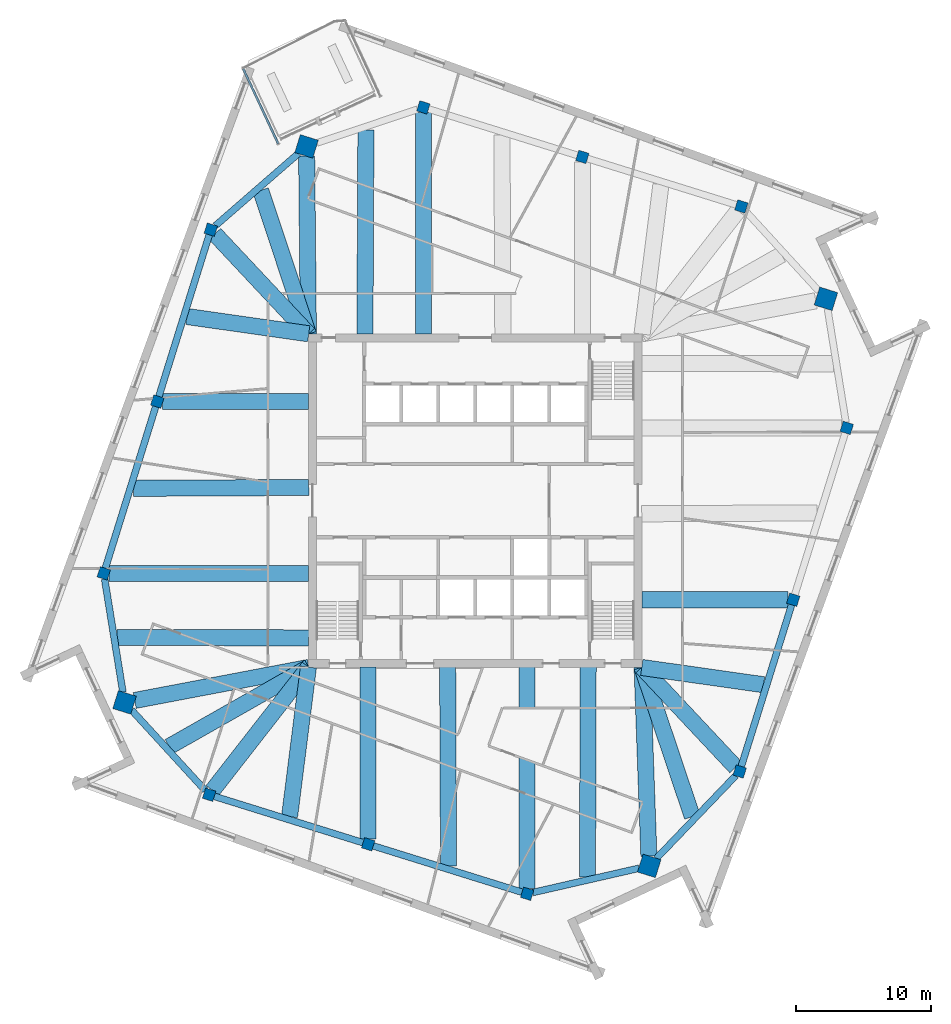
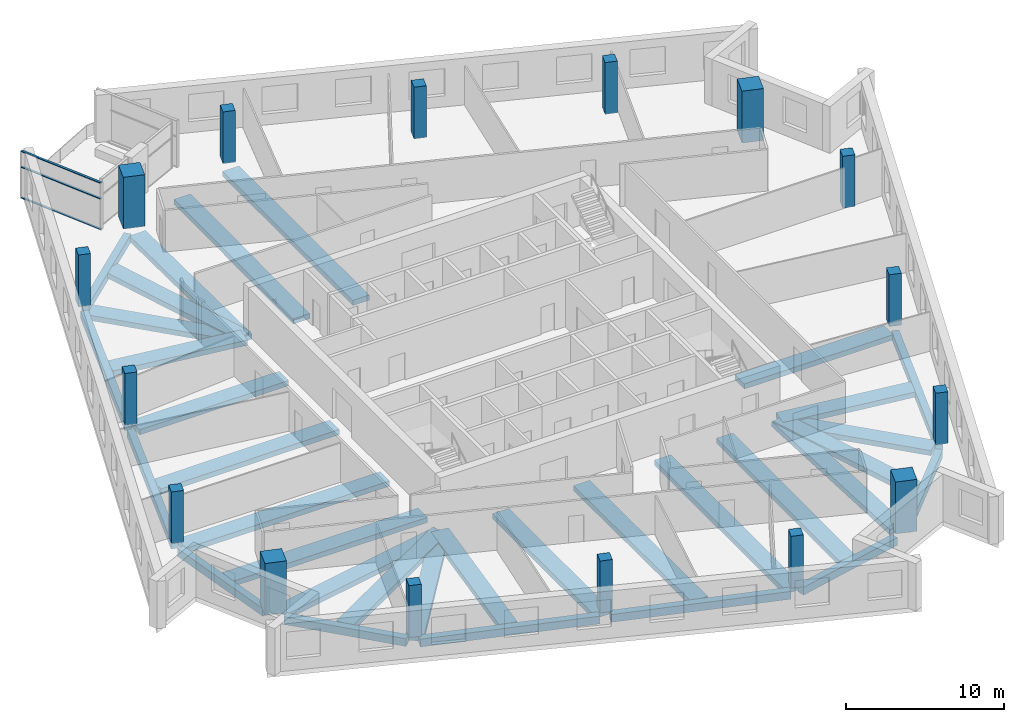
# One storey, part 1 of 13: 33 beams, 16 columns, 3 members, 1 element without a shape of its own.
"""IFC4 building model written with IfcOpenShell, lengths in metres."""

import ifcopenshell
import ifcopenshell.guid

model = None  # the IFC model being written
_history = None  # IfcOwnerHistory: only IFC2X3 demands one
_inside = {}  # id of a spatial element -> (the spatial element, [elements in it])
_under = {}  # id of a project, library or spatial element -> (it, [spatial elements below it])
_declared = {}  # id of a project -> (the project, [libraries it declares])
_typed = {}  # id of a type object -> (the type object, [elements of that type])
_made_of = {}  # id of a material, layer set ... -> (it, [elements and type objects made of it])


def new_model(schema):
    """Start an empty IFC model of exactly this schema.

    Asked for "IFC4X3", IfcOpenShell would pick the latest addendum, in which some entities
    have other attributes; the version numbers below select the first issue.
    IFC2X3 requires an IfcOwnerHistory on every rooted entity: one is made here for all.
    """
    global model, _history
    if schema == "IFC4X3":
        model = ifcopenshell.file(schema_version=(4, 3, 0, 0))
    else:
        model = ifcopenshell.file(schema=schema)
    _inside.clear()
    _under.clear()
    _declared.clear()
    _typed.clear()
    _made_of.clear()
    _history = None
    if model.schema == "IFC2X3":
        org = make("IfcOrganization", Name="unknown")
        user = make(
            "IfcPersonAndOrganization",
            ThePerson=make("IfcPerson", FamilyName="unknown"),
            TheOrganization=org,
        )
        app = make(
            "IfcApplication",
            ApplicationDeveloper=org,
            Version="unknown",
            ApplicationFullName="unknown",
            ApplicationIdentifier="unknown",
        )
        _history = make(
            "IfcOwnerHistory",
            OwningUser=user,
            OwningApplication=app,
            ChangeAction="ADDED",
            CreationDate=0,
        )
    return model


def make(cls, **values):
    """One entity of the class cls with the attributes given. An attribute that is None is left unset."""
    return model.create_entity(
        cls, **{name: value for name, value in values.items() if value is not None}
    )


def rooted(cls, **values):
    """An entity with a GlobalId (a new one), such as an element, a storey or a relation."""
    return make(cls, GlobalId=ifcopenshell.guid.new(), OwnerHistory=_history, **values)


def si_unit(unit_type, name, prefix=None):
    """IfcSIUnit, for example si_unit("LENGTHUNIT", "METRE", prefix="MILLI")."""
    return make("IfcSIUnit", UnitType=unit_type, Prefix=prefix, Name=name)


def assignment(units):
    """IfcUnitAssignment: the units of a project."""
    return None if units is None else make("IfcUnitAssignment", Units=units)


def point(xyz):
    """IfcCartesianPoint."""
    return None if xyz is None else make("IfcCartesianPoint", Coordinates=xyz)


def direction(xyz):
    """IfcDirection."""
    return None if xyz is None else make("IfcDirection", DirectionRatios=xyz)


def frame(location, z_axis=None, x_axis=None):
    """IfcAxis2Placement3D, a coordinate frame: its origin and axes. An axis left out is left unset."""
    return make(
        "IfcAxis2Placement3D",
        Location=point(location),
        Axis=direction(z_axis),
        RefDirection=direction(x_axis),
    )


def frame_2d(location, x_axis=None):
    """IfcAxis2Placement2D, a coordinate frame in the plane: its origin and x axis."""
    return make(
        "IfcAxis2Placement2D", Location=point(location), RefDirection=direction(x_axis)
    )


def origin():
    """The frame at (0, 0, 0) with its axes left unset."""
    return frame((0.0, 0.0, 0.0))


def origin_2d():
    """The frame at (0, 0) in the plane with its x axis left unset."""
    return frame_2d((0.0, 0.0))


def place(relative_to, where):
    """IfcLocalPlacement: puts the frame where relative to a parent placement (None: the world)."""
    return make(
        "IfcLocalPlacement", PlacementRelTo=relative_to, RelativePlacement=where
    )


def context(
    kind, dimensions, precision=None, world=None, true_north=None, identifier=None
):
    """IfcGeometricRepresentationContext, for example the 3D "Model" context."""
    return make(
        "IfcGeometricRepresentationContext",
        ContextIdentifier=identifier,
        ContextType=kind,
        CoordinateSpaceDimension=dimensions,
        Precision=precision,
        WorldCoordinateSystem=world,
        TrueNorth=true_north,
    )


def subcontext(parent, identifier, kind, view, scale=None):
    """IfcGeometricRepresentationSubContext, for example "Body" below "Model"."""
    return make(
        "IfcGeometricRepresentationSubContext",
        ContextIdentifier=identifier,
        ContextType=kind,
        ParentContext=parent,
        TargetScale=scale,
        TargetView=view,
    )


def project(units=None, contexts=None):
    """IfcProject with its units and contexts."""
    return rooted(
        "IfcProject",
        Name="project",
        RepresentationContexts=contexts,
        UnitsInContext=assignment(units),
    )


def spatial(cls, under=None, at=None, **own):
    """A site, building, storey or space (cls), placed at a placement, below another one or the project."""
    s = rooted(cls, ObjectPlacement=at, **own)
    if under is not None:
        _under.setdefault(under.id(), (under, []))[1].append(s)
    return s


def profile(cls, at=None, kind="AREA", **sizes):
    """A parametric profile (cls). Its sizes go by their IFC names, for example OverallWidth=200.0."""
    return make(cls, ProfileType=kind, Position=at, **sizes)


def rectangle(**sizes):
    """IfcRectangleProfileDef."""
    return profile("IfcRectangleProfileDef", **sizes)


def extrude(swept, where, along, depth):
    """IfcExtrudedAreaSolid: the profile swept, set in the frame where, extruded along a direction by depth."""
    return make(
        "IfcExtrudedAreaSolid",
        SweptArea=swept,
        Position=where,
        ExtrudedDirection=direction(along),
        Depth=depth,
    )


def shape(context_of_items, identifier, shape_type, items):
    """IfcShapeRepresentation: the items that make up one representation, for example the "Body"."""
    return make(
        "IfcShapeRepresentation",
        ContextOfItems=context_of_items,
        RepresentationIdentifier=identifier,
        RepresentationType=shape_type,
        Items=items,
    )


def material(Name=None, Category=None):
    """IfcMaterial."""
    return make("IfcMaterial", Name=Name, Category=Category)


def material_profile(
    of_material, cross_section, Name=None, Category=None, Priority=None
):
    """IfcMaterialProfile: a cross section and its material."""
    return make(
        "IfcMaterialProfile",
        Name=Name,
        Material=of_material,
        Profile=cross_section,
        Priority=Priority,
        Category=Category,
    )


def profile_set(profiles, Name=None, composite=None):
    """IfcMaterialProfileSet."""
    return make(
        "IfcMaterialProfileSet",
        Name=Name,
        MaterialProfiles=profiles,
        CompositeProfile=composite,
    )


def made_of(thing, what):
    """Note that an element or type object is made of a material, layer set ...; save() writes the relation."""
    if what is not None:
        _made_of.setdefault(what.id(), (what, []))[1].append(thing)
    return thing


def type_object(cls, material=None, **own):
    """A type object (cls), such as IfcWallType, which elements share."""
    return made_of(rooted(cls, **own), material)


def element(
    cls,
    number,
    at=None,
    inside=None,
    cuts=None,
    type_object=None,
    material=None,
    context=None,
    identifier="Body",
    shape_type=None,
    held_by="IfcProductDefinitionShape",
    body=None,
    shapes=None,
    **own,
):
    """One element of the class cls, such as IfcWall. Its Tag is "e" and its number.

    at: its placement. inside: the storey or other place that contains it. cuts: it is an
    opening in that element (IfcRelVoidsElement). A single representation is given by context,
    identifier, shape_type and body (its items); several are given by shapes. held_by: the class
    of the entity that holds the representations. save() writes the other relations.
    """
    e = rooted(cls, Tag="e%d" % number, ObjectPlacement=at, **own)
    if body is not None:
        shapes = [shape(context, identifier, shape_type, body)]
    if shapes is not None:
        e.Representation = make(held_by, Representations=shapes)
    if inside is not None:
        _inside.setdefault(inside.id(), (inside, []))[1].append(e)
    if cuts is not None:
        rooted(
            "IfcRelVoidsElement", RelatingBuildingElement=cuts, RelatedOpeningElement=e
        )
    if type_object is not None:
        _typed.setdefault(type_object.id(), (type_object, []))[1].append(e)
    return made_of(e, material)


def aggregate(whole, parts):
    """IfcRelAggregates: a whole, such as a stair, and the parts it consists of."""
    return rooted("IfcRelAggregates", RelatingObject=whole, RelatedObjects=parts)


def save(model, path):
    """Write the relations noted so far, then the file.

    IfcRelAggregates (storeys below a building ...), IfcRelContainedInSpatialStructure (elements
    in a storey), IfcRelDefinesByType, IfcRelAssociatesMaterial and IfcRelDeclares: one each for
    every whole, place, type object, material and project.
    """
    for whole, parts in _under.values():
        aggregate(whole, parts)
    for where, things in _inside.values():
        rooted(
            "IfcRelContainedInSpatialStructure",
            RelatedElements=things,
            RelatingStructure=where,
        )
    for kind, things in _typed.values():
        rooted("IfcRelDefinesByType", RelatedObjects=things, RelatingType=kind)
    for what, things in _made_of.values():
        rooted("IfcRelAssociatesMaterial", RelatedObjects=things, RelatingMaterial=what)
    for by, libraries in _declared.values():
        rooted("IfcRelDeclares", RelatingContext=by, RelatedDefinitions=libraries)
    model.write(path)


model = new_model("IFC4")

# Units and contexts
model_context = context("Model", 3, precision=1e-05, world=origin(), true_north=direction((0.0, 1.0)))
body_context = subcontext(model_context, "Body", "Model", "MODEL_VIEW")
ifc_project = project(units=[si_unit("LENGTHUNIT", "METRE"), si_unit("AREAUNIT", "SQUARE_METRE"), si_unit("VOLUMEUNIT", "CUBIC_METRE"), si_unit("PLANEANGLEUNIT", "RADIAN"), si_unit("MASSUNIT", "GRAM", prefix="KILO")], contexts=[model_context])

# Site, building, storey
site_placement = place(None, origin())
site = spatial("IfcSite", under=ifc_project, at=site_placement, CompositionType="ELEMENT")
building_placement = place(site_placement, origin())
building = spatial("IfcBuilding", under=site, at=building_placement, Name="Dilmun Exchange Tower", CompositionType="ELEMENT")
storey_placement = place(building_placement, frame((0.0, 0.0, 304.5)))
storey = spatial("IfcBuildingStorey", under=building, at=storey_placement, Name="L72", CompositionType="ELEMENT", Elevation=304.5)

# Columns
ifc_material_1 = material(Name="Concrete C50/60", Category="concrete")
ifc_material_profile_1 = material_profile(ifc_material_1, rectangle(XDim=1.39990234375, YDim=1.39990234375, at=origin_2d()), Name="1400 x 1400")
ifc_profile_set_1 = profile_set([ifc_material_profile_1], Name="Concrete C50/60")
column_type_1 = type_object("IfcColumnType", Name="RC mega column 1400 x 1400 C50/60", PredefinedType="COLUMN", material=ifc_profile_set_1)
for number, where, z_axis, x_axis, name in (
    (1, (-12.537109375, 26.322021484375, 0.0), (0.0, 0.0, 1.0), (0.297503182032, 0.954720826567, 0.0), "Mega column M1"),
    (2, (-26.06005859375, -14.9951171875, 0.0), (0.0, 0.0, 1.0), (0.297503182032, 0.954720826567, 0.0), "Mega column M2"),
    (3, (12.928955078125, -27.14404296875, 0.0), (0.0, 0.0, 1.0), (0.297503182032, 0.954720826567, 0.0), "Mega column M3"),
    (4, (26.06005859375, 14.9951171875, 0.0), (0.0, 0.0, 1.0), (0.297503182032, 0.954720826567, 0.0), "Mega column M4"),
):
    element("IfcColumn", number, at=place(storey_placement, frame(where, z_axis=z_axis, x_axis=x_axis)), inside=storey, type_object=column_type_1, Name=name, PredefinedType="COLUMN", context=body_context, shape_type="SweptSolid", body=[
        extrude(rectangle(XDim=1.39990234375, YDim=1.39990234375, at=origin_2d()), origin(), (0.0, 0.0, 1.0), 4.0),
    ])
ifc_material_profile_2 = material_profile(ifc_material_1, rectangle(XDim=0.800048828125, YDim=0.800048828125, at=origin_2d()), Name="800 x 800")
ifc_profile_set_2 = profile_set([ifc_material_profile_2], Name="Concrete C50/60")
column_type_2 = type_object("IfcColumnType", Name="RC ring column 800 x 800 C50/60", PredefinedType="COLUMN", material=ifc_profile_set_2)
for number, where, z_axis, x_axis, name in (
    (5, (-19.64990234375, 20.133056640625, 0.0), (0.0, 0.0, 1.0), (0.297503182032, 0.954720826567, 0.0), "Ring column R01"),
    (6, (-23.62890625, 7.363037109375, 0.0), (0.0, 0.0, 1.0), (0.297503182032, 0.954720826567, 0.0), "Ring column R02"),
    (7, (-27.60791015625, -5.406005859375, 0.0), (0.0, 0.0, 1.0), (0.297503182032, 0.954720826567, 0.0), "Ring column R03"),
    (8, (-19.77294921875, -21.85693359375, 0.0), (0.0, 0.0, 1.0), (0.297503182032, 0.954720826567, 0.0), "Ring column R04"),
    (9, (-7.9580078125, -25.5390625, 0.0), (0.0, 0.0, 1.0), (0.297503182032, 0.954720826567, 0.0), "Ring column R05"),
    (10, (3.85595703125, -29.219970703125, 0.0), (0.0, 0.0, 1.0), (0.297503182032, 0.954720826567, 0.0), "Ring column R06"),
    (11, (19.64990234375, -20.133056640625, 0.0), (0.0, 0.0, 1.0), (0.297503182032, 0.954720826567, 0.0), "Ring column R07"),
    (12, (23.62890625, -7.363037109375, 0.0), (0.0, 0.0, 1.0), (0.297503182032, 0.954720826567, 0.0), "Ring column R08"),
    (13, (27.60791015625, 5.406005859375, 0.0), (0.0, 0.0, 1.0), (0.297503182032, 0.954720826567, 0.0), "Ring column R09"),
    (14, (19.77294921875, 21.85693359375, 0.0), (0.0, 0.0, 1.0), (0.297503182032, 0.954720826567, 0.0), "Ring column R10"),
    (15, (7.9580078125, 25.5390625, 0.0), (0.0, 0.0, 1.0), (0.297503182032, 0.954720826567, 0.0), "Ring column R11"),
    (16, (-3.85595703125, 29.219970703125, 0.0), (0.0, 0.0, 1.0), (0.297503182032, 0.954720826567, 0.0), "Ring column R12"),
):
    element("IfcColumn", number, at=place(storey_placement, frame(where, z_axis=z_axis, x_axis=x_axis)), inside=storey, type_object=column_type_2, Name=name, PredefinedType="COLUMN", context=body_context, shape_type="SweptSolid", body=[
        extrude(rectangle(XDim=0.800048828125, YDim=0.800048828125, at=origin_2d()), origin(), (0.0, 0.0, 1.0), 4.0),
    ])

# Curtain wall, members
ifc_material_2 = material(Name="Anodised aluminium and clear glass", Category="aluminium")
curtain_wall_type = type_object("IfcCurtainWallType", Name="Garden corner glazing", PredefinedType="NOTDEFINED", material=ifc_material_2)
curtain_wall_placement = place(storey_placement, origin())
curtain_wall = element("IfcCurtainWall", 17, at=curtain_wall_placement, inside=storey, type_object=curtain_wall_type, Name="Garden corner glazing run GC3.1", PredefinedType="NOTDEFINED")
ifc_material_3 = material(Name="Anodised aluminium", Category="aluminium")
ifc_material_profile_3 = material_profile(ifc_material_3, rectangle(XDim=0.159912109375, YDim=0.06005859375, at=origin_2d()), Name="AL 60x160")
ifc_profile_set_3 = profile_set([ifc_material_profile_3], Name="Anodised aluminium")
member_type = type_object("IfcMemberType", Name="Garden corner glazing transom 60 x 160", PredefinedType="USERDEFINED", material=ifc_profile_set_3)
member_1_placement = place(storey_placement, frame((-14.649658203125, 26.5234375, 0.030029296875), z_axis=(-0.422610567282, 0.906311374982, 0.0), x_axis=(-0.906311374982, -0.422610567282, 0.0)))
member_1 = element("IfcMember", 18, at=member_1_placement, type_object=member_type, Name="GC3.1 transom 1.1", ObjectType="TRANSOM", PredefinedType="USERDEFINED", context=body_context, shape_type="SweptSolid", body=[
    extrude(rectangle(XDim=0.159912109375, YDim=0.06005859375, at=origin_2d()), origin(), (0.0, 0.0, 1.0), 6.12646484375),
])
member_2_placement = place(storey_placement, frame((-14.649658203125, 26.5234375, 2.39990234375), z_axis=(-0.422610567282, 0.906311374982, 0.0), x_axis=(-0.906311374982, -0.422610567282, 0.0)))
member_2 = element("IfcMember", 19, at=member_2_placement, type_object=member_type, Name="GC3.1 transom 1.2", ObjectType="TRANSOM", PredefinedType="USERDEFINED", context=body_context, shape_type="SweptSolid", body=[
    extrude(rectangle(XDim=0.159912109375, YDim=0.06005859375, at=origin_2d()), origin(), (0.0, 0.0, 1.0), 6.12646484375),
])
member_3_placement = place(storey_placement, frame((-14.649658203125, 26.5234375, 3.6201171875), z_axis=(-0.422610567282, 0.906311374982, 0.0), x_axis=(-0.906311374982, -0.422610567282, 0.0)))
member_3 = element("IfcMember", 20, at=member_3_placement, type_object=member_type, Name="GC3.1 transom 1.3", ObjectType="TRANSOM", PredefinedType="USERDEFINED", context=body_context, shape_type="SweptSolid", body=[
    extrude(rectangle(XDim=0.159912109375, YDim=0.06005859375, at=origin_2d()), origin(), (0.0, 0.0, 1.0), 6.12646484375),
])
aggregate(curtain_wall, [member_1, member_2, member_3])

# Beams
ifc_material_4 = material(Name="Concrete C40/50", Category="concrete")
ifc_material_profile_4 = material_profile(ifc_material_4, rectangle(XDim=1.199951171875, YDim=0.39990234375, at=origin_2d()), Name="1200 x 400")
ifc_profile_set_4 = profile_set([ifc_material_profile_4], Name="Concrete C40/50")
beam_type_1 = type_object("IfcBeamType", Name="RC band beam 1200 x 400 C40/50", PredefinedType="BEAM", material=ifc_profile_set_4)
beam_1_placement = place(storey_placement, frame((-12.530029296875, 25.613525390625, -0.64990234375), z_axis=(0.009845926203, -0.999951527694, 0.0), x_axis=(0.999951527694, 0.009845926203, 0.0)))
element("IfcBeam", 21, at=beam_1_placement, inside=storey, type_object=beam_type_1, Name="Band beam 1", PredefinedType="BEAM", context=body_context, shape_type="SweptSolid", body=[
    extrude(rectangle(XDim=1.199951171875, YDim=0.39990234375, at=origin_2d()), origin(), (0.0, 0.0, 1.0), 13.2412109375),
])
beam_2_placement = place(storey_placement, frame((-19.35400390625, 19.8173828125, -0.64990234375), z_axis=(0.683952281649, -0.729526748261, 0.0), x_axis=(0.729526748261, 0.683952281649, 0.0)))
element("IfcBeam", 22, at=beam_2_placement, inside=storey, type_object=beam_type_1, Name="Band beam 2", PredefinedType="BEAM", context=body_context, shape_type="SweptSolid", body=[
    extrude(rectangle(XDim=1.199951171875, YDim=0.39990234375, at=origin_2d()), origin(), (0.0, 0.0, 1.0), 10.1943359375),
])
beam_3_placement = place(storey_placement, frame((-23.237060546875, 7.363037109375, -0.64990234375), z_axis=(1.0, 0.0, 0.0), x_axis=(0.0, 1.0, 0.0)))
element("IfcBeam", 23, at=beam_3_placement, inside=storey, type_object=beam_type_1, Name="Band beam 3", PredefinedType="BEAM", context=body_context, shape_type="SweptSolid", body=[
    extrude(rectangle(XDim=1.199951171875, YDim=0.39990234375, at=origin_2d()), origin(), (0.0, 0.0, 1.0), 10.864013671875),
])
beam_4_placement = place(storey_placement, frame((-27.216064453125, -5.406005859375, -0.64990234375), z_axis=(1.0, 0.0, 0.0), x_axis=(0.0, 1.0, 0.0)))
element("IfcBeam", 24, at=beam_4_placement, inside=storey, type_object=beam_type_1, Name="Band beam 4", PredefinedType="BEAM", context=body_context, shape_type="SweptSolid", body=[
    extrude(rectangle(XDim=1.199951171875, YDim=0.39990234375, at=origin_2d()), origin(), (0.0, 0.0, 1.0), 14.843017578125),
])
beam_5_placement = place(storey_placement, frame((-25.30712890625, -14.85205078125, -0.64990234375), z_axis=(0.982429348436, 0.18663487169, 0.0), x_axis=(-0.18663487169, 0.982429348436, 0.0)))
element("IfcBeam", 25, at=beam_5_placement, inside=storey, type_object=beam_type_1, Name="Band beam 5", PredefinedType="BEAM", context=body_context, shape_type="SweptSolid", body=[
    extrude(rectangle(XDim=1.199951171875, YDim=0.39990234375, at=origin_2d()), origin(), (0.0, 0.0, 1.0), 13.164794921875),
])
beam_6_placement = place(storey_placement, frame((-19.52685546875, -21.541259765625, -0.64990234375), z_axis=(0.614856714099, 0.788638840743, 0.0), x_axis=(-0.788638840743, 0.614856714099, 0.0)))
element("IfcBeam", 26, at=beam_6_placement, inside=storey, type_object=beam_type_1, Name="Band beam 6", PredefinedType="BEAM", context=body_context, shape_type="SweptSolid", body=[
    extrude(rectangle(XDim=1.199951171875, YDim=0.39990234375, at=origin_2d()), origin(), (0.0, 0.0, 1.0), 11.6181640625),
])
beam_7_placement = place(storey_placement, frame((-7.9580078125, -25.14697265625, -0.64990234375), z_axis=(0.0, 1.0, 0.0), x_axis=(-1.0, 0.0, 0.0)))
element("IfcBeam", 27, at=beam_7_placement, inside=storey, type_object=beam_type_1, Name="Band beam 7", PredefinedType="BEAM", context=body_context, shape_type="SweptSolid", body=[
    extrude(rectangle(XDim=1.199951171875, YDim=0.39990234375, at=origin_2d()), origin(), (0.0, 0.0, 1.0), 12.77392578125),
])
beam_8_placement = place(storey_placement, frame((3.85595703125, -28.827880859375, -0.64990234375), z_axis=(0.0, 1.0, 0.0), x_axis=(-1.0, 0.0, 0.0)))
element("IfcBeam", 28, at=beam_8_placement, inside=storey, type_object=beam_type_1, Name="Band beam 8", PredefinedType="BEAM", context=body_context, shape_type="SweptSolid", body=[
    extrude(rectangle(XDim=1.199951171875, YDim=0.39990234375, at=origin_2d()), origin(), (0.0, 0.0, 1.0), 16.454833984375),
])
beam_9_placement = place(storey_placement, frame((12.9033203125, -26.429443359375, -0.64990234375), z_axis=(-0.035860549827, 0.999356803632, 0.0), x_axis=(-0.999356803632, -0.035860549827, 0.0)))
element("IfcBeam", 29, at=beam_9_placement, inside=storey, type_object=beam_type_1, Name="Band beam 9", PredefinedType="BEAM", context=body_context, shape_type="SweptSolid", body=[
    extrude(rectangle(XDim=1.199951171875, YDim=0.39990234375, at=origin_2d()), origin(), (0.0, 0.0, 1.0), 14.0654296875),
])
beam_10_placement = place(storey_placement, frame((19.35400390625, -19.8173828125, -0.64990234375), z_axis=(-0.683952281649, 0.729526748261, 0.0), x_axis=(-0.729526748261, -0.683952281649, 0.0)))
element("IfcBeam", 30, at=beam_10_placement, inside=storey, type_object=beam_type_1, Name="Band beam 10", PredefinedType="BEAM", context=body_context, shape_type="SweptSolid", body=[
    extrude(rectangle(XDim=1.199951171875, YDim=0.39990234375, at=origin_2d()), origin(), (0.0, 0.0, 1.0), 10.1943359375),
])
beam_11_placement = place(storey_placement, frame((23.237060546875, -7.363037109375, -0.64990234375), z_axis=(-1.0, 0.0, 0.0), x_axis=(0.0, -1.0, 0.0)))
element("IfcBeam", 31, at=beam_11_placement, inside=storey, type_object=beam_type_1, Name="Band beam 11", PredefinedType="BEAM", context=body_context, shape_type="SweptSolid", body=[
    extrude(rectangle(XDim=1.199951171875, YDim=0.39990234375, at=origin_2d()), origin(), (0.0, 0.0, 1.0), 10.864013671875),
])
beam_12_placement = place(storey_placement, frame((-3.85595703125, 28.827880859375, -0.64990234375), z_axis=(0.0, -1.0, 0.0), x_axis=(1.0, 0.0, 0.0)))
element("IfcBeam", 32, at=beam_12_placement, inside=storey, type_object=beam_type_1, Name="Band beam 16", PredefinedType="BEAM", context=body_context, shape_type="SweptSolid", body=[
    extrude(rectangle(XDim=1.199951171875, YDim=0.39990234375, at=origin_2d()), origin(), (0.0, 0.0, 1.0), 16.454833984375),
])
beam_13_placement = place(storey_placement, frame((-15.947021484375, 23.059326171875, -0.550048828125), z_axis=(0.315752926282, -0.948841445946, 0.0), x_axis=(0.948841445946, 0.315752926282, 0.0)))
element("IfcBeam", 33, at=beam_13_placement, inside=storey, type_object=beam_type_1, Name="Band beam 17", PredefinedType="BEAM", context=body_context, shape_type="SweptSolid", body=[
    extrude(rectangle(XDim=1.199951171875, YDim=0.39990234375, at=origin_2d()), origin(), (0.0, 0.0, 1.0), 11.260986328125),
])
beam_14_placement = place(storey_placement, frame((-21.426513671875, 13.681640625, -0.550048828125), z_axis=(0.990066629404, -0.140598966357, 0.0), x_axis=(0.140598966357, 0.990066629404, 0.0)))
element("IfcBeam", 34, at=beam_14_placement, inside=storey, type_object=beam_type_1, Name="Band beam 18", PredefinedType="BEAM", context=body_context, shape_type="SweptSolid", body=[
    extrude(rectangle(XDim=1.199951171875, YDim=0.39990234375, at=origin_2d()), origin(), (0.0, 0.0, 1.0), 9.14404296875),
])
beam_15_placement = place(storey_placement, frame((-25.405517578125, 0.912109375, -0.550048828125), z_axis=(0.999987018468, 0.005095379798, 0.0), x_axis=(-0.005095379798, 0.999987018468, 0.0)))
element("IfcBeam", 35, at=beam_15_placement, inside=storey, type_object=beam_type_1, Name="Band beam 19", PredefinedType="BEAM", context=body_context, shape_type="SweptSolid", body=[
    extrude(rectangle(XDim=1.199951171875, YDim=0.39990234375, at=origin_2d()), origin(), (0.0, 0.0, 1.0), 13.03271484375),
])
beam_16_placement = place(storey_placement, frame((-26.614013671875, -10.1650390625, -0.550048828125), z_axis=(0.999996910379, -0.002485806038, 0.0), x_axis=(0.002485806038, 0.999996910379, 0.0)))
element("IfcBeam", 36, at=beam_16_placement, inside=storey, type_object=beam_type_1, Name="Band beam 20", PredefinedType="BEAM", context=body_context, shape_type="SweptSolid", body=[
    extrude(rectangle(XDim=1.199951171875, YDim=0.39990234375, at=origin_2d()), origin(), (0.0, 0.0, 1.0), 14.240966796875),
])
beam_17_placement = place(storey_placement, frame((-22.752197265625, -18.275390625, -0.550048828125), z_axis=(0.869690188955, 0.493597989496, 0.0), x_axis=(-0.493597989496, 0.869690188955, 0.0)))
element("IfcBeam", 37, at=beam_17_placement, inside=storey, type_object=beam_type_1, Name="Band beam 21", PredefinedType="BEAM", context=body_context, shape_type="SweptSolid", body=[
    extrude(rectangle(XDim=1.199951171875, YDim=0.39990234375, at=origin_2d()), origin(), (0.0, 0.0, 1.0), 11.93017578125),
])
beam_18_placement = place(storey_placement, frame((-13.79931640625, -23.485107421875, -0.550048828125), z_axis=(0.125252659456, 0.992124876867, 0.0), x_axis=(-0.992124876867, 0.125252659456, 0.0)))
element("IfcBeam", 38, at=beam_18_placement, inside=storey, type_object=beam_type_1, Name="Band beam 22", PredefinedType="BEAM", context=body_context, shape_type="SweptSolid", body=[
    extrude(rectangle(XDim=1.199951171875, YDim=0.39990234375, at=origin_2d()), origin(), (0.0, 0.0, 1.0), 11.199951171875),
])
beam_19_placement = place(storey_placement, frame((-1.984619140625, -27.16650390625, -0.550048828125), z_axis=(-0.004488848064, 0.999989925071, 0.0), x_axis=(-0.999989925071, -0.004488848064, 0.0)))
element("IfcBeam", 39, at=beam_19_placement, inside=storey, type_object=beam_type_1, Name="Band beam 23", PredefinedType="BEAM", context=body_context, shape_type="SweptSolid", body=[
    extrude(rectangle(XDim=1.199951171875, YDim=0.39990234375, at=origin_2d()), origin(), (0.0, 0.0, 1.0), 14.793701171875),
])
beam_20_placement = place(storey_placement, frame((8.3427734375, -27.964599609375, -0.550048828125), z_axis=(0.003194321582, 0.999994898142, 0.0), x_axis=(-0.999994898142, 0.003194321582, 0.0)))
element("IfcBeam", 40, at=beam_20_placement, inside=storey, type_object=beam_type_1, Name="Band beam 24", PredefinedType="BEAM", context=body_context, shape_type="SweptSolid", body=[
    extrude(rectangle(XDim=1.199951171875, YDim=0.39990234375, at=origin_2d()), origin(), (0.0, 0.0, 1.0), 15.591552734375),
])
beam_21_placement = place(storey_placement, frame((16.12841796875, -23.484130859375, -0.550048828125), z_axis=(-0.318844720982, 0.947806965527, 0.0), x_axis=(-0.947806965527, -0.318844720982, 0.0)))
element("IfcBeam", 41, at=beam_21_placement, inside=storey, type_object=beam_type_1, Name="Band beam 25", PredefinedType="BEAM", context=body_context, shape_type="SweptSolid", body=[
    extrude(rectangle(XDim=1.199951171875, YDim=0.39990234375, at=origin_2d()), origin(), (0.0, 0.0, 1.0), 11.721435546875),
])
beam_22_placement = place(storey_placement, frame((21.426513671875, -13.681640625, -0.550048828125), z_axis=(-0.990066629404, 0.140598966357, 0.0), x_axis=(-0.140598966357, -0.990066629404, 0.0)))
element("IfcBeam", 42, at=beam_22_placement, inside=storey, type_object=beam_type_1, Name="Band beam 26", PredefinedType="BEAM", context=body_context, shape_type="SweptSolid", body=[
    extrude(rectangle(XDim=1.199951171875, YDim=0.39990234375, at=origin_2d()), origin(), (0.0, 0.0, 1.0), 9.14404296875),
])
beam_23_placement = place(storey_placement, frame((-8.1259765625, 27.5595703125, -0.550048828125), z_axis=(-0.00464595333, -0.999989207501, 0.0), x_axis=(0.999989207501, -0.00464595333, 0.0)))
element("IfcBeam", 43, at=beam_23_placement, inside=storey, type_object=beam_type_1, Name="Band beam 32", PredefinedType="BEAM", context=body_context, shape_type="SweptSolid", body=[
    extrude(rectangle(XDim=1.199951171875, YDim=0.39990234375, at=origin_2d()), origin(), (0.0, 0.0, 1.0), 15.186767578125),
])
ifc_material_profile_5 = material_profile(ifc_material_4, rectangle(XDim=0.5, YDim=0.60009765625, at=origin_2d()), Name="500 x 600")
ifc_profile_set_5 = profile_set([ifc_material_profile_5], Name="Concrete C40/50")
beam_type_2 = type_object("IfcBeamType", Name="RC ring beam 500 x 600 C40/50", PredefinedType="SPANDREL", material=ifc_profile_set_5)
beam_24_placement = place(storey_placement, frame((-13.13720703125, 25.7998046875, -0.64990234375), z_axis=(-0.754412964807, -0.656400090289, 0.0), x_axis=(0.656400090289, -0.754412964807, 0.0)))
element("IfcBeam", 44, at=beam_24_placement, inside=storey, type_object=beam_type_2, Name="Ring beam 1", PredefinedType="SPANDREL", context=body_context, shape_type="SweptSolid", body=[
    extrude(rectangle(XDim=0.5, YDim=0.60009765625, at=origin_2d()), origin(), (0.0, 0.0, 1.0), 8.190185546875),
])
beam_25_placement = place(storey_placement, frame((-19.760986328125, 19.77685546875, -0.64990234375), z_axis=(-0.297481296371, -0.954727646143, 0.0), x_axis=(0.954727646143, -0.297481296371, 0.0)))
element("IfcBeam", 45, at=beam_25_placement, inside=storey, type_object=beam_type_2, Name="Ring beam 2", PredefinedType="SPANDREL", context=body_context, shape_type="SweptSolid", body=[
    extrude(rectangle(XDim=0.5, YDim=0.60009765625, at=origin_2d()), origin(), (0.0, 0.0, 1.0), 12.629638671875),
])
beam_26_placement = place(storey_placement, frame((-23.739990234375, 7.0068359375, -0.64990234375), z_axis=(-0.297508749799, -0.954719091562, 0.0), x_axis=(0.954719091562, -0.297508749799, 0.0)))
element("IfcBeam", 46, at=beam_26_placement, inside=storey, type_object=beam_type_2, Name="Ring beam 3", PredefinedType="SPANDREL", context=body_context, shape_type="SweptSolid", body=[
    extrude(rectangle(XDim=0.5, YDim=0.60009765625, at=origin_2d()), origin(), (0.0, 0.0, 1.0), 12.62841796875),
])
beam_27_placement = place(storey_placement, frame((-27.541015625, -5.820556640625, -0.64990234375), z_axis=(0.159356501233, -0.987221102649, 0.0), x_axis=(0.987221102649, 0.159356501233, 0.0)))
element("IfcBeam", 47, at=beam_27_placement, inside=storey, type_object=beam_type_2, Name="Ring beam 4", PredefinedType="SPANDREL", context=body_context, shape_type="SweptSolid", body=[
    extrude(rectangle(XDim=0.5, YDim=0.60009765625, at=origin_2d()), origin(), (0.0, 0.0, 1.0), 8.5380859375),
])
beam_28_placement = place(storey_placement, frame((-25.531005859375, -15.572265625, -0.64990234375), z_axis=(0.675535971399, -0.737327031476, 0.0), x_axis=(0.737327031476, 0.675535971399, 0.0)))
element("IfcBeam", 48, at=beam_28_placement, inside=storey, type_object=beam_type_2, Name="Ring beam 5", PredefinedType="SPANDREL", context=body_context, shape_type="SweptSolid", body=[
    extrude(rectangle(XDim=0.5, YDim=0.60009765625, at=origin_2d()), origin(), (0.0, 0.0, 1.0), 8.087890625),
])
beam_29_placement = place(storey_placement, frame((-19.4169921875, -21.968017578125, -0.64990234375), z_axis=(0.95471613385, -0.297518241065, 0.0), x_axis=(0.297518241065, 0.95471613385, 0.0)))
element("IfcBeam", 49, at=beam_29_placement, inside=storey, type_object=beam_type_2, Name="Ring beam 6", PredefinedType="SPANDREL", context=body_context, shape_type="SweptSolid", body=[
    extrude(rectangle(XDim=0.5, YDim=0.60009765625, at=origin_2d()), origin(), (0.0, 0.0, 1.0), 11.62939453125),
])
beam_30_placement = place(storey_placement, frame((-7.601806640625, -25.64990234375, -0.64990234375), z_axis=(0.954732553331, -0.297465546931, 0.0), x_axis=(0.297465546931, 0.954732553331, 0.0)))
element("IfcBeam", 50, at=beam_30_placement, inside=storey, type_object=beam_type_2, Name="Ring beam 7", PredefinedType="SPANDREL", context=body_context, shape_type="SweptSolid", body=[
    extrude(rectangle(XDim=0.5, YDim=0.60009765625, at=origin_2d()), origin(), (0.0, 0.0, 1.0), 11.628173828125),
])
beam_31_placement = place(storey_placement, frame((4.28076171875, -29.122802734375, -0.64990234375), z_axis=(0.974807153913, 0.223049350324, 0.0), x_axis=(-0.223049350324, 0.974807153913, 0.0)))
element("IfcBeam", 51, at=beam_31_placement, inside=storey, type_object=beam_type_2, Name="Ring beam 8", PredefinedType="SPANDREL", context=body_context, shape_type="SweptSolid", body=[
    extrude(rectangle(XDim=0.5, YDim=0.60009765625, at=origin_2d()), origin(), (0.0, 0.0, 1.0), 8.0888671875),
])
beam_32_placement = place(storey_placement, frame((13.451416015625, -26.598876953125, -0.64990234375), z_axis=(0.692021502551, 0.721876887016, 0.0), x_axis=(-0.721876887016, 0.692021502551, 0.0)))
element("IfcBeam", 52, at=beam_32_placement, inside=storey, type_object=beam_type_2, Name="Ring beam 9", PredefinedType="SPANDREL", context=body_context, shape_type="SweptSolid", body=[
    extrude(rectangle(XDim=0.5, YDim=0.60009765625, at=origin_2d()), origin(), (0.0, 0.0, 1.0), 8.537353515625),
])
beam_33_placement = place(storey_placement, frame((19.760986328125, -19.77685546875, -0.64990234375), z_axis=(0.297481296371, 0.954727646143, 0.0), x_axis=(-0.954727646143, 0.297481296371, 0.0)))
element("IfcBeam", 53, at=beam_33_placement, inside=storey, type_object=beam_type_2, Name="Ring beam 10", PredefinedType="SPANDREL", context=body_context, shape_type="SweptSolid", body=[
    extrude(rectangle(XDim=0.5, YDim=0.60009765625, at=origin_2d()), origin(), (0.0, 0.0, 1.0), 12.629638671875),
])

save(model, "model.ifc")
